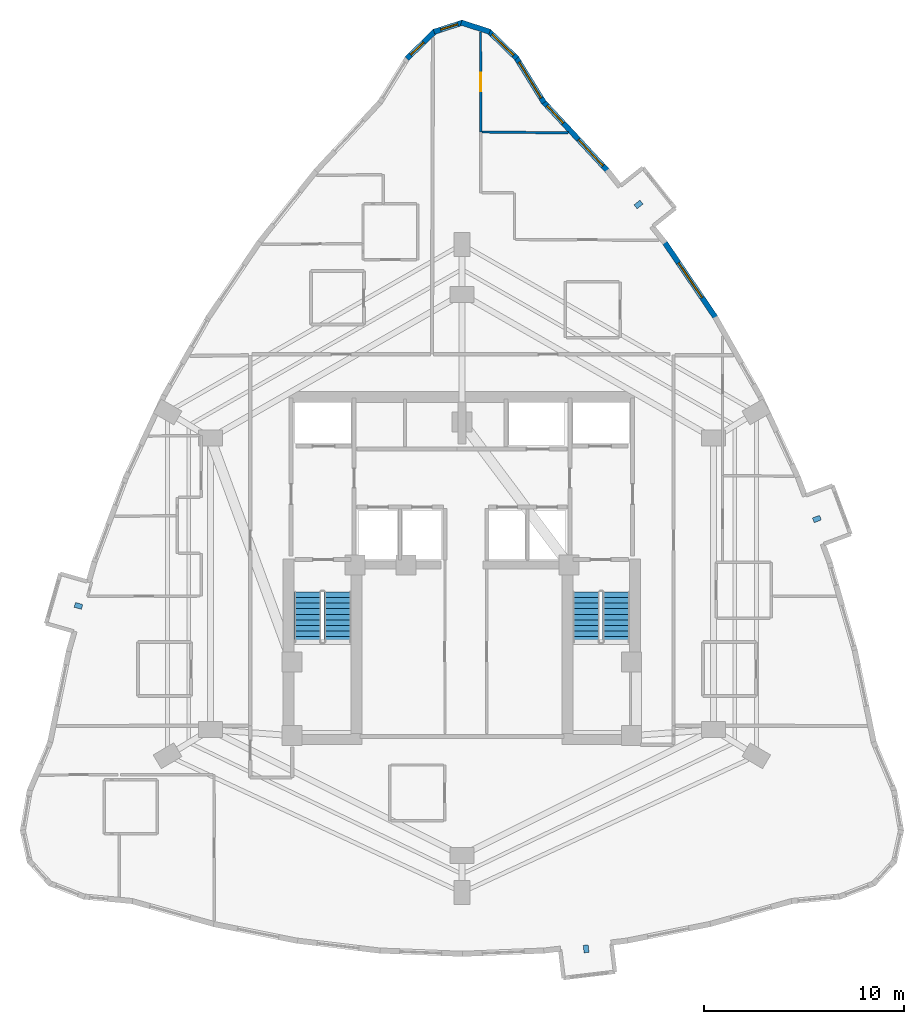
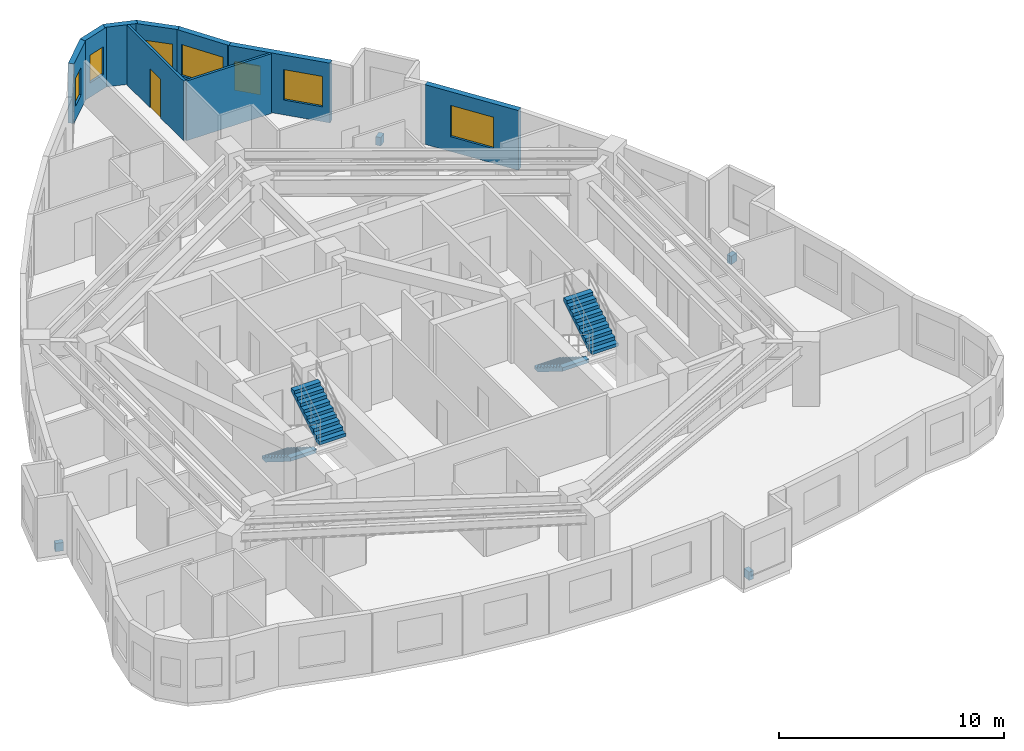
# One storey, part 13 of 14: 9 walls, 7 windows, 4 discrete accessories, 4 stair flights, 1 door, 8 openings, 2 elements without a shape of their own.
"""IFC4 building model written with IfcOpenShell, lengths in metres."""

from ifc_helpers import new_model, si_unit, direction, frame, frame_2d, origin, origin_2d, place, context, subcontext, project, spatial, polyline, rectangle, outline, extrude, material, layer, layer_set, type_object, element, fill, aggregate, save


model = new_model("IFC4")

# Units and contexts
model_context = context("Model", 3, precision=1e-05, world=origin(), true_north=direction((0.0, 1.0)))
body_context = subcontext(model_context, "Body", "Model", "MODEL_VIEW")
ifc_project = project(units=[si_unit("LENGTHUNIT", "METRE"), si_unit("AREAUNIT", "SQUARE_METRE"), si_unit("VOLUMEUNIT", "CUBIC_METRE"), si_unit("PLANEANGLEUNIT", "RADIAN"), si_unit("MASSUNIT", "GRAM", prefix="KILO")], contexts=[model_context])

# Site, building, storey
site_placement = place(None, origin())
site = spatial("IfcSite", under=ifc_project, at=site_placement, CompositionType="ELEMENT")
building_placement = place(site_placement, origin())
building = spatial("IfcBuilding", under=site, at=building_placement, Name="Miruveldt Soraemaru", CompositionType="ELEMENT")
storey_placement = place(building_placement, frame((0.0, 0.0, 114.39990234375)))
storey = spatial("IfcBuildingStorey", under=building, at=storey_placement, Name="L31", CompositionType="ELEMENT", Elevation=114.39990234375)

# Wall, opening, window
ifc_material_1 = material(Name="Precast concrete C45/55 (45 MPa)", Category="concrete")
ifc_layer_1 = layer(ifc_material_1, 0.27001953125, Name="Precast concrete C45/55 (45 MPa)", Category="concrete")
ifc_layer_set_1 = layer_set([ifc_layer_1], Name="Precast concrete C45/55 (45 MPa)")
wall_type_1 = type_object("IfcWallType", Name="WALL-EXT-PC270", PredefinedType="SOLIDWALL", material=ifc_layer_set_1)
wall_1_placement = place(storey_placement, frame((48.11181640625, 67.197509765625, 0.0), z_axis=(0.0, 0.0, 1.0), x_axis=(-0.526013792322, 0.850476037456, 0.0)))
wall_1 = element("IfcWall", 1, at=wall_1_placement, inside=storey, type_object=wall_type_1, Name="L31 Precast Concrete Facade Wall 1", PredefinedType="SOLIDWALL", context=body_context, shape_type="SweptSolid", body=[
    extrude(rectangle(XDim=2.66357421875, YDim=0.27001953125, at=frame_2d((1.331787109375, 0.0))), origin(), (0.0, 0.0, 1.0), 3.235107421875),
])
opening_1_placement = place(wall_1_placement, frame((0.281982421875, 0.0, 0.800048828125)))
opening_1 = element("IfcOpeningElement", 2, at=opening_1_placement, cuts=wall_1, Name="Opening WN-1", PredefinedType="OPENING", context=body_context, shape_type="SweptSolid", body=[
    extrude(rectangle(XDim=2.10009765625, YDim=1.699951171875, at=frame_2d((1.050048828125, 0.85009765625))), frame((0.0, 0.14501953125, 0.0), z_axis=(0.0, -1.0, 0.0), x_axis=(1.0, 0.0, 0.0)), (0.0, 0.0, 1.0), 0.2900390625),
])
ifc_material_2 = material(Name="Triple low-e insulated glazing", Category="glass")
window_type_1 = type_object("IfcWindowType", Name="WIN-PUNCH-2100x1700", PartitioningType="SINGLE_PANEL", PredefinedType="WINDOW", material=ifc_material_2)
window_1_placement = place(opening_1_placement, origin())
window_1 = element("IfcWindow", 3, at=window_1_placement, inside=storey, type_object=window_type_1, Name="L31 Punched Triple-Glazed Window 01.1", OverallHeight=1.699951171875, OverallWidth=2.10009765625, PartitioningType="SINGLE_PANEL", PredefinedType="WINDOW", context=body_context, shape_type="SweptSolid", body=[
    extrude(rectangle(XDim=2.10009765625, YDim=1.699951171875, at=frame_2d((1.050048828125, 0.85009765625))), frame((0.0, 0.030029296875, 0.0), z_axis=(0.0, -1.0, 0.0), x_axis=(1.0, 0.0, 0.0)), (0.0, 0.0, 1.0), 0.06005859375),
])
fill(opening_1, window_1)

wall_2_placement = place(storey_placement, frame((46.754150390625, 69.40869140625, 0.0), z_axis=(0.0, 0.0, 1.0), x_axis=(-0.7178009654, 0.696248356602, 0.0)))
wall_2 = element("IfcWall", 4, at=wall_2_placement, inside=storey, type_object=wall_type_1, Name="L31 Precast Concrete Facade Wall 2", PredefinedType="SOLIDWALL", context=body_context, shape_type="SweptSolid", body=[
    extrude(rectangle(XDim=1.970947265625, YDim=0.27001953125, at=frame_2d((0.9853515625, 0.0))), origin(), (0.0, 0.0, 1.0), 3.235107421875),
])
opening_2_placement = place(wall_2_placement, frame((0.235107421875, 0.0, 0.800048828125)))
opening_2 = element("IfcOpeningElement", 5, at=opening_2_placement, cuts=wall_2, Name="Opening WN-3", PredefinedType="OPENING", context=body_context, shape_type="SweptSolid", body=[
    extrude(rectangle(XDim=1.5, YDim=1.60009765625, at=frame_2d((0.75, 0.800048828125))), frame((0.0, 0.14501953125, 0.0), z_axis=(0.0, -1.0, 0.0), x_axis=(1.0, 0.0, 0.0)), (0.0, 0.0, 1.0), 0.2900390625),
])
window_type_2 = type_object("IfcWindowType", Name="WIN-PUNCH-1500x1600", PartitioningType="SINGLE_PANEL", PredefinedType="WINDOW", material=ifc_material_2)
window_2_placement = place(opening_2_placement, origin())
window_2 = element("IfcWindow", 6, at=window_2_placement, inside=storey, type_object=window_type_2, Name="L31 Punched Triple-Glazed Window 02.1", OverallHeight=1.60009765625, OverallWidth=1.5, PartitioningType="SINGLE_PANEL", PredefinedType="WINDOW", context=body_context, shape_type="SweptSolid", body=[
    extrude(rectangle(XDim=1.5, YDim=1.60009765625, at=frame_2d((0.75, 0.800048828125))), frame((0.0, 0.030029296875, 0.0), z_axis=(0.0, -1.0, 0.0), x_axis=(1.0, 0.0, 0.0)), (0.0, 0.0, 1.0), 0.06005859375),
])
fill(opening_2, window_2)

# Wall
wall_3_placement = place(storey_placement, frame((45.397705078125, 70.745849609375, 0.0), z_axis=(0.0, 0.0, 1.0), x_axis=(-0.951501837543, 0.307643061277, 0.0)))
element("IfcWall", 7, at=wall_3_placement, inside=storey, type_object=wall_type_1, Name="L31 Precast Concrete Facade Wall 3", PredefinedType="SOLIDWALL", context=body_context, shape_type="SweptSolid", body=[
    extrude(rectangle(XDim=1.50390625, YDim=0.27001953125, at=frame_2d((0.751953125, 0.0))), origin(), (0.0, 0.0, 1.0), 3.235107421875),
])

# Wall, opening, window
wall_4_placement = place(storey_placement, frame((44.033203125, 71.20849609375, 0.0), z_axis=(0.0, 0.0, 1.0), x_axis=(-0.951501837543, -0.307643061277, 0.0)))
wall_4 = element("IfcWall", 8, at=wall_4_placement, inside=storey, type_object=wall_type_1, Name="L31 Precast Concrete Facade Wall 4", PredefinedType="SOLIDWALL", context=body_context, shape_type="SweptSolid", body=[
    extrude(rectangle(XDim=1.50390625, YDim=0.27001953125, at=frame_2d((0.751953125, 0.0))), origin(), (0.0, 0.0, 1.0), 3.235107421875),
])
opening_3_placement = place(wall_4_placement, frame((0.251953125, 0.0, 0.780029296875)))
opening_3 = element("IfcOpeningElement", 9, at=opening_3_placement, cuts=wall_4, Name="Opening WN-7", PredefinedType="OPENING", context=body_context, shape_type="SweptSolid", body=[
    extrude(rectangle(XDim=0.89990234375, YDim=1.5, at=frame_2d((0.449951171875, 0.75))), frame((0.0, 0.14501953125, 0.0), z_axis=(0.0, -1.0, 0.0), x_axis=(1.0, 0.0, 0.0)), (0.0, 0.0, 1.0), 0.2900390625),
])
window_type_3 = type_object("IfcWindowType", Name="WIN-PUNCH-900x1500", PartitioningType="SINGLE_PANEL", PredefinedType="WINDOW", material=ifc_material_2)
window_3_placement = place(opening_3_placement, origin())
window_3 = element("IfcWindow", 10, at=window_3_placement, inside=storey, type_object=window_type_3, Name="L31 Punched Triple-Glazed Window 04.1", OverallHeight=1.5, OverallWidth=0.89990234375, PartitioningType="SINGLE_PANEL", PredefinedType="WINDOW", context=body_context, shape_type="SweptSolid", body=[
    extrude(rectangle(XDim=0.89990234375, YDim=1.5, at=frame_2d((0.449951171875, 0.75))), frame((0.0, 0.030029296875, 0.0), z_axis=(0.0, -1.0, 0.0), x_axis=(1.0, 0.0, 0.0)), (0.0, 0.0, 1.0), 0.06005859375),
])
fill(opening_3, window_3)

wall_5_placement = place(storey_placement, frame((42.66064453125, 70.781005859375, 0.0), z_axis=(0.0, 0.0, 1.0), x_axis=(-0.7178009654, -0.696248356602, 0.0)))
wall_5 = element("IfcWall", 11, at=wall_5_placement, inside=storey, type_object=wall_type_1, Name="L31 Precast Concrete Facade Wall 5", PredefinedType="SOLIDWALL", context=body_context, shape_type="SweptSolid", body=[
    extrude(rectangle(XDim=1.970947265625, YDim=0.27001953125, at=frame_2d((0.9853515625, 0.0))), origin(), (0.0, 0.0, 1.0), 3.235107421875),
])
opening_4_placement = place(wall_5_placement, frame((0.806884765625, 0.0, 0.780029296875)))
opening_4 = element("IfcOpeningElement", 12, at=opening_4_placement, cuts=wall_5, Name="Opening WN-7", PredefinedType="OPENING", context=body_context, shape_type="SweptSolid", body=[
    extrude(rectangle(XDim=0.89990234375, YDim=1.5, at=frame_2d((0.449951171875, 0.75))), frame((0.0, 0.14501953125, 0.0), z_axis=(0.0, -1.0, 0.0), x_axis=(1.0, 0.0, 0.0)), (0.0, 0.0, 1.0), 0.2900390625),
])
window_4_placement = place(opening_4_placement, origin())
window_4 = element("IfcWindow", 13, at=window_4_placement, inside=storey, type_object=window_type_3, Name="L31 Punched Triple-Glazed Window 05.1", OverallHeight=1.5, OverallWidth=0.89990234375, PartitioningType="SINGLE_PANEL", PredefinedType="WINDOW", context=body_context, shape_type="SweptSolid", body=[
    extrude(rectangle(XDim=0.89990234375, YDim=1.5, at=frame_2d((0.449951171875, 0.75))), frame((0.0, 0.030029296875, 0.0), z_axis=(0.0, -1.0, 0.0), x_axis=(1.0, 0.0, 0.0)), (0.0, 0.0, 1.0), 0.06005859375),
])
fill(opening_4, window_4)

wall_6_placement = place(storey_placement, frame((56.718017578125, 56.411865234375, 0.0), z_axis=(0.0, 0.0, 1.0), x_axis=(-0.560841123117, 0.827923447319, 0.0)))
wall_6 = element("IfcWall", 14, at=wall_6_placement, inside=storey, type_object=wall_type_1, Name="L31 Precast Concrete Facade Wall 40", PredefinedType="SOLIDWALL", context=body_context, shape_type="SweptSolid", body=[
    extrude(rectangle(XDim=4.612548828125, YDim=0.27001953125, at=frame_2d((2.30615234375, 0.0))), origin(), (0.0, 0.0, 1.0), 3.235107421875),
])
opening_5_placement = place(wall_6_placement, frame((1.237060546875, 0.0, 0.800048828125)))
opening_5 = element("IfcOpeningElement", 15, at=opening_5_placement, cuts=wall_6, Name="Opening WN-1", PredefinedType="OPENING", context=body_context, shape_type="SweptSolid", body=[
    extrude(rectangle(XDim=2.10009765625, YDim=1.699951171875, at=frame_2d((1.050048828125, 0.85009765625))), frame((0.0, 0.14501953125, 0.0), z_axis=(0.0, -1.0, 0.0), x_axis=(1.0, 0.0, 0.0)), (0.0, 0.0, 1.0), 0.2900390625),
])
window_5_placement = place(opening_5_placement, origin())
window_5 = element("IfcWindow", 16, at=window_5_placement, inside=storey, type_object=window_type_1, Name="L31 Punched Triple-Glazed Window 40.1", OverallHeight=1.699951171875, OverallWidth=2.10009765625, PartitioningType="SINGLE_PANEL", PredefinedType="WINDOW", context=body_context, shape_type="SweptSolid", body=[
    extrude(rectangle(XDim=2.10009765625, YDim=1.699951171875, at=frame_2d((1.050048828125, 0.85009765625))), frame((0.0, 0.030029296875, 0.0), z_axis=(0.0, -1.0, 0.0), x_axis=(1.0, 0.0, 0.0)), (0.0, 0.0, 1.0), 0.06005859375),
])
fill(opening_5, window_5)

# Wall, openings, windows
wall_7_placement = place(storey_placement, frame((51.306396484375, 63.771484375, 0.0), z_axis=(0.0, 0.0, 1.0), x_axis=(-0.680907985311, 0.732368974998, 0.0)))
wall_7 = element("IfcWall", 17, at=wall_7_placement, inside=storey, type_object=wall_type_1, Name="L31 Precast Concrete Facade Wall 42", PredefinedType="SOLIDWALL", context=body_context, shape_type="SweptSolid", body=[
    extrude(rectangle(XDim=4.753662109375, YDim=0.27001953125, at=frame_2d((2.376953125, 0.0))), origin(), (0.0, 0.0, 1.0), 3.235107421875),
])
opening_6_placement = place(wall_7_placement, frame((0.35498046875, 0.0, 0.800048828125)))
opening_6 = element("IfcOpeningElement", 18, at=opening_6_placement, cuts=wall_7, Name="Opening WN-2", PredefinedType="OPENING", context=body_context, shape_type="SweptSolid", body=[
    extrude(rectangle(XDim=1.800048828125, YDim=1.64990234375, at=frame_2d((0.89990234375, 0.824951171875))), frame((0.0, 0.14501953125, 0.0), z_axis=(0.0, -1.0, 0.0), x_axis=(1.0, 0.0, 0.0)), (0.0, 0.0, 1.0), 0.2900390625),
])
opening_7_placement = place(wall_7_placement, frame((3.27197265625, 0.0, 0.780029296875)))
opening_7 = element("IfcOpeningElement", 19, at=opening_7_placement, cuts=wall_7, Name="Opening WN-4", PredefinedType="OPENING", context=body_context, shape_type="SweptSolid", body=[
    extrude(rectangle(XDim=1.199951171875, YDim=1.550048828125, at=frame_2d((0.60009765625, 0.77490234375))), frame((0.0, 0.14501953125, 0.0), z_axis=(0.0, -1.0, 0.0), x_axis=(1.0, 0.0, 0.0)), (0.0, 0.0, 1.0), 0.2900390625),
])
window_type_4 = type_object("IfcWindowType", Name="WIN-PUNCH-1200x1550", PartitioningType="SINGLE_PANEL", PredefinedType="WINDOW", material=ifc_material_2)
window_6_placement = place(opening_7_placement, origin())
window_6 = element("IfcWindow", 20, at=window_6_placement, inside=storey, type_object=window_type_4, Name="L31 Punched Triple-Glazed Window 42.2", OverallHeight=1.550048828125, OverallWidth=1.199951171875, PartitioningType="SINGLE_PANEL", PredefinedType="WINDOW", context=body_context, shape_type="SweptSolid", body=[
    extrude(rectangle(XDim=1.199951171875, YDim=1.550048828125, at=frame_2d((0.60009765625, 0.77490234375))), frame((0.0, 0.030029296875, 0.0), z_axis=(0.0, -1.0, 0.0), x_axis=(1.0, 0.0, 0.0)), (0.0, 0.0, 1.0), 0.06005859375),
])
fill(opening_7, window_6)
window_type_5 = type_object("IfcWindowType", Name="WIN-PUNCH-1800x1650", PartitioningType="SINGLE_PANEL", PredefinedType="WINDOW", material=ifc_material_2)
window_7_placement = place(opening_6_placement, origin())
window_7 = element("IfcWindow", 21, at=window_7_placement, inside=storey, type_object=window_type_5, Name="L31 Punched Triple-Glazed Window 42.1", OverallHeight=1.64990234375, OverallWidth=1.800048828125, PartitioningType="SINGLE_PANEL", PredefinedType="WINDOW", context=body_context, shape_type="SweptSolid", body=[
    extrude(rectangle(XDim=1.800048828125, YDim=1.64990234375, at=frame_2d((0.89990234375, 0.824951171875))), frame((0.0, 0.030029296875, 0.0), z_axis=(0.0, -1.0, 0.0), x_axis=(1.0, 0.0, 0.0)), (0.0, 0.0, 1.0), 0.06005859375),
])
fill(opening_6, window_7)

# Wall, opening, door
ifc_material_3 = material(Name="Gypsum plasterboard lining", Category="gypsum")
ifc_layer_2 = layer(ifc_material_3, 0.1201171875, Name="Gypsum plasterboard lining", Category="gypsum")
ifc_layer_set_2 = layer_set([ifc_layer_2], Name="Gypsum plasterboard lining")
wall_type_2 = type_object("IfcWallType", Name="WALL-INT-P120", PredefinedType="PARTITIONING", material=ifc_layer_set_2)
wall_8_placement = place(storey_placement, frame((44.949951171875, 65.73095703125, 0.0), z_axis=(0.0, 0.0, 1.0), x_axis=(-0.004386564025, 0.999990378982, 0.0)))
wall_8 = element("IfcWall", 22, at=wall_8_placement, inside=storey, type_object=wall_type_2, Name="L31 Partition Wall 33", PredefinedType="PARTITIONING", context=body_context, shape_type="SweptSolid", body=[
    extrude(rectangle(XDim=5.009033203125, YDim=0.1201171875, at=frame_2d((2.50439453125, 0.0))), origin(), (0.0, 0.0, 1.0), 3.235107421875),
])
opening_8_placement = place(wall_8_placement, frame((2.044921875, 0.0, 0.0)))
opening_8 = element("IfcOpeningElement", 23, at=opening_8_placement, cuts=wall_8, Name="Opening D3A", PredefinedType="OPENING", context=body_context, shape_type="SweptSolid", body=[
    extrude(rectangle(XDim=0.919921875, YDim=2.10009765625, at=frame_2d((0.4599609375, 1.050048828125))), frame((0.0, 0.070068359375, 0.0), z_axis=(0.0, -1.0, 0.0), x_axis=(1.0, 0.0, 0.0)), (0.0, 0.0, 1.0), 0.14013671875),
])
ifc_material_4 = material(Name="Anodised aluminium EN AW-6063 T6", Category="aluminium")
door_type = type_object("IfcDoorType", Name="DOOR-INT-920", OperationType="NOTDEFINED", PredefinedType="DOOR", material=ifc_material_4)
door_placement = place(opening_8_placement, origin())
door = element("IfcDoor", 24, at=door_placement, inside=storey, type_object=door_type, Name="L31 Unit 3102 BD2 Door", OperationType="SINGLE_SWING_RIGHT", OverallHeight=2.10009765625, OverallWidth=0.919921875, PredefinedType="DOOR", context=body_context, shape_type="SweptSolid", body=[
    extrude(rectangle(XDim=0.919921875, YDim=2.10009765625, at=frame_2d((0.4599609375, 1.050048828125))), frame((0.0, 0.02490234375, 0.0), z_axis=(0.0, -1.0, 0.0), x_axis=(1.0, 0.0, 0.0)), (0.0, 0.0, 1.0), 0.050048828125),
])
fill(opening_8, door)

# Wall
wall_9_placement = place(storey_placement, frame((49.323974609375, 65.68310546875, 0.0), z_axis=(0.0, 0.0, 1.0), x_axis=(-0.999940971614, 0.010865232968, 0.0)))
element("IfcWall", 25, at=wall_9_placement, inside=storey, type_object=wall_type_2, Name="L31 Partition Wall 35", PredefinedType="PARTITIONING", context=body_context, shape_type="SweptSolid", body=[
    extrude(rectangle(XDim=4.314208984375, YDim=0.1201171875, at=frame_2d((2.1572265625, 0.0))), origin(), (0.0, 0.0, 1.0), 3.235107421875),
])

# Stair, stair flights
ifc_material_5 = material(Name="Concrete C40/50 (40 MPa)", Category="concrete")
stair_type = type_object("IfcStairType", Name="STAIR-DL-350", PredefinedType="HALF_TURN_STAIR", material=ifc_material_5)
stair_1_placement = place(storey_placement, origin())
stair_1 = element("IfcStair", 26, at=stair_1_placement, inside=storey, type_object=stair_type, Name="L31 Protected Exit Stair ST-1", PredefinedType="HALF_TURN_STAIR")
stair_flight_type = type_object("IfcStairFlightType", Name="SFL-DL-350", PredefinedType="STRAIGHT", material=ifc_material_5)
stair_flight_1_placement = place(storey_placement, frame((36.27490234375, 42.699951171875, 0.0), z_axis=(0.0, 0.0, 1.0), x_axis=(0.0, -1.0, 0.0)))
stair_flight_1 = element("IfcStairFlight", 27, at=stair_flight_1_placement, type_object=stair_flight_type, Name="ST-1 flight 1", NumberOfRisers=10, NumberOfTreads=9, PredefinedType="STRAIGHT", RiserHeight=0.175, TreadLength=0.28, context=body_context, shape_type="SweptSolid", body=[
    extrude(outline(polyline([(0.0, 0.0), (0.0, 0.175048828125), (0.280029296875, 0.175048828125), (0.280029296875, 0.35009765625), (0.56005859375, 0.35009765625), (0.56005859375, 0.52490234375), (0.840087890625, 0.52490234375), (0.840087890625, 0.699951171875), (1.1201171875, 0.699951171875), (1.1201171875, 0.875), (1.39990234375, 0.875), (1.39990234375, 1.050048828125), (1.679931640625, 1.050048828125), (1.679931640625, 1.22509765625), (1.9599609375, 1.22509765625), (1.9599609375, 1.39990234375), (2.239990234375, 1.39990234375), (2.239990234375, 1.574951171875), (2.52001953125, 1.574951171875), (2.52001953125, 1.75), (2.52001953125, 1.386474609375), (0.3017578125, 0.0), (0.0, 0.0)])), frame((0.0, 0.675048828125, 0.0), z_axis=(0.0, -1.0, 0.0), x_axis=(1.0, 0.0, 0.0)), (0.0, 0.0, 1.0), 1.35009765625),
])
stair_flight_2_placement = place(storey_placement, frame((37.77490234375, 40.179931640625, 1.75), z_axis=(0.0, 0.0, 1.0), x_axis=(0.0, 1.0, 0.0)))
stair_flight_2 = element("IfcStairFlight", 28, at=stair_flight_2_placement, type_object=stair_flight_type, Name="ST-1 flight 2", NumberOfRisers=10, NumberOfTreads=9, PredefinedType="STRAIGHT", RiserHeight=0.175, TreadLength=0.28, context=body_context, shape_type="SweptSolid", body=[
    extrude(outline(polyline([(0.0, 0.0), (0.0, 0.175048828125), (0.280029296875, 0.175048828125), (0.280029296875, 0.35009765625), (0.56005859375, 0.35009765625), (0.56005859375, 0.52490234375), (0.840087890625, 0.52490234375), (0.840087890625, 0.699951171875), (1.1201171875, 0.699951171875), (1.1201171875, 0.875), (1.39990234375, 0.875), (1.39990234375, 1.050048828125), (1.679931640625, 1.050048828125), (1.679931640625, 1.22509765625), (1.9599609375, 1.22509765625), (1.9599609375, 1.39990234375), (2.239990234375, 1.39990234375), (2.239990234375, 1.574951171875), (2.52001953125, 1.574951171875), (2.52001953125, 1.75), (2.52001953125, 1.386474609375), (0.3017578125, 0.0), (0.0, 0.0)])), frame((0.0, 0.675048828125, 0.0), z_axis=(0.0, -1.0, 0.0), x_axis=(1.0, 0.0, 0.0)), (0.0, 0.0, 1.0), 1.35009765625),
])
aggregate(stair_1, [stair_flight_1, stair_flight_2])

stair_2_placement = place(storey_placement, origin())
stair_2 = element("IfcStair", 29, at=stair_2_placement, inside=storey, type_object=stair_type, Name="L31 Protected Exit Stair ST-2", PredefinedType="HALF_TURN_STAIR")
stair_flight_3_placement = place(storey_placement, frame((50.22509765625, 42.699951171875, 0.0), z_axis=(0.0, 0.0, 1.0), x_axis=(0.0, -1.0, 0.0)))
stair_flight_3 = element("IfcStairFlight", 30, at=stair_flight_3_placement, type_object=stair_flight_type, Name="ST-2 flight 1", NumberOfRisers=10, NumberOfTreads=9, PredefinedType="STRAIGHT", RiserHeight=0.175, TreadLength=0.28, context=body_context, shape_type="SweptSolid", body=[
    extrude(outline(polyline([(0.0, 0.0), (0.0, 0.175048828125), (0.280029296875, 0.175048828125), (0.280029296875, 0.35009765625), (0.56005859375, 0.35009765625), (0.56005859375, 0.52490234375), (0.840087890625, 0.52490234375), (0.840087890625, 0.699951171875), (1.1201171875, 0.699951171875), (1.1201171875, 0.875), (1.39990234375, 0.875), (1.39990234375, 1.050048828125), (1.679931640625, 1.050048828125), (1.679931640625, 1.22509765625), (1.9599609375, 1.22509765625), (1.9599609375, 1.39990234375), (2.239990234375, 1.39990234375), (2.239990234375, 1.574951171875), (2.52001953125, 1.574951171875), (2.52001953125, 1.75), (2.52001953125, 1.386474609375), (0.3017578125, 0.0), (0.0, 0.0)])), frame((0.0, 0.675048828125, 0.0), z_axis=(0.0, -1.0, 0.0), x_axis=(1.0, 0.0, 0.0)), (0.0, 0.0, 1.0), 1.35009765625),
])
stair_flight_4_placement = place(storey_placement, frame((51.72509765625, 40.179931640625, 1.75), z_axis=(0.0, 0.0, 1.0), x_axis=(0.0, 1.0, 0.0)))
stair_flight_4 = element("IfcStairFlight", 31, at=stair_flight_4_placement, type_object=stair_flight_type, Name="ST-2 flight 2", NumberOfRisers=10, NumberOfTreads=9, PredefinedType="STRAIGHT", RiserHeight=0.175, TreadLength=0.28, context=body_context, shape_type="SweptSolid", body=[
    extrude(outline(polyline([(0.0, 0.0), (0.0, 0.175048828125), (0.280029296875, 0.175048828125), (0.280029296875, 0.35009765625), (0.56005859375, 0.35009765625), (0.56005859375, 0.52490234375), (0.840087890625, 0.52490234375), (0.840087890625, 0.699951171875), (1.1201171875, 0.699951171875), (1.1201171875, 0.875), (1.39990234375, 0.875), (1.39990234375, 1.050048828125), (1.679931640625, 1.050048828125), (1.679931640625, 1.22509765625), (1.9599609375, 1.22509765625), (1.9599609375, 1.39990234375), (2.239990234375, 1.39990234375), (2.239990234375, 1.574951171875), (2.52001953125, 1.574951171875), (2.52001953125, 1.75), (2.52001953125, 1.386474609375), (0.3017578125, 0.0), (0.0, 0.0)])), frame((0.0, 0.675048828125, 0.0), z_axis=(0.0, -1.0, 0.0), x_axis=(1.0, 0.0, 0.0)), (0.0, 0.0, 1.0), 1.35009765625),
])
aggregate(stair_2, [stair_flight_3, stair_flight_4])

# Discrete accessories
ifc_material_6 = material(Name="Steel SM355 (355 MPa)", Category="steel")
discrete_accessory_type = type_object("IfcDiscreteAccessoryType", Name="ACC-BAY-BRK", PredefinedType="BRACKET", material=ifc_material_6)
for number, where, z_axis, x_axis, name in (
    (32, (24.797119140625, 41.999267578125, -0.7099609375), (0.0, 0.0, 1.0), (-0.961453892845, 0.274966201438, 0.0), "L31 Bay Window Cantilever Bracket 1"),
    (33, (50.218505859375, 24.8251953125, -0.7099609375), (0.0, 0.0, 1.0), (0.119149147143, -0.992876367296, 0.0), "L31 Bay Window Cantilever Bracket 2"),
    (34, (61.77392578125, 46.3505859375, -0.7099609375), (0.0, 0.0, 1.0), (0.93711153314, 0.349030048069, 0.0), "L31 Bay Window Cantilever Bracket 3"),
    (35, (52.841796875, 62.09912109375, -0.7099609375), (0.0, 0.0, 1.0), (0.781749083735, 0.623593112597, 0.0), "L31 Bay Window Cantilever Bracket 4"),
):
    element("IfcDiscreteAccessory", number, at=place(storey_placement, frame(where, z_axis=z_axis, x_axis=x_axis)), inside=storey, type_object=discrete_accessory_type, Name=name, PredefinedType="BRACKET", context=body_context, shape_type="SweptSolid", body=[
        extrude(rectangle(XDim=0.3798828125, YDim=0.25, at=origin_2d()), origin(), (0.0, 0.0, 1.0), 0.449951171875),
    ])

save(model, "model.ifc")
